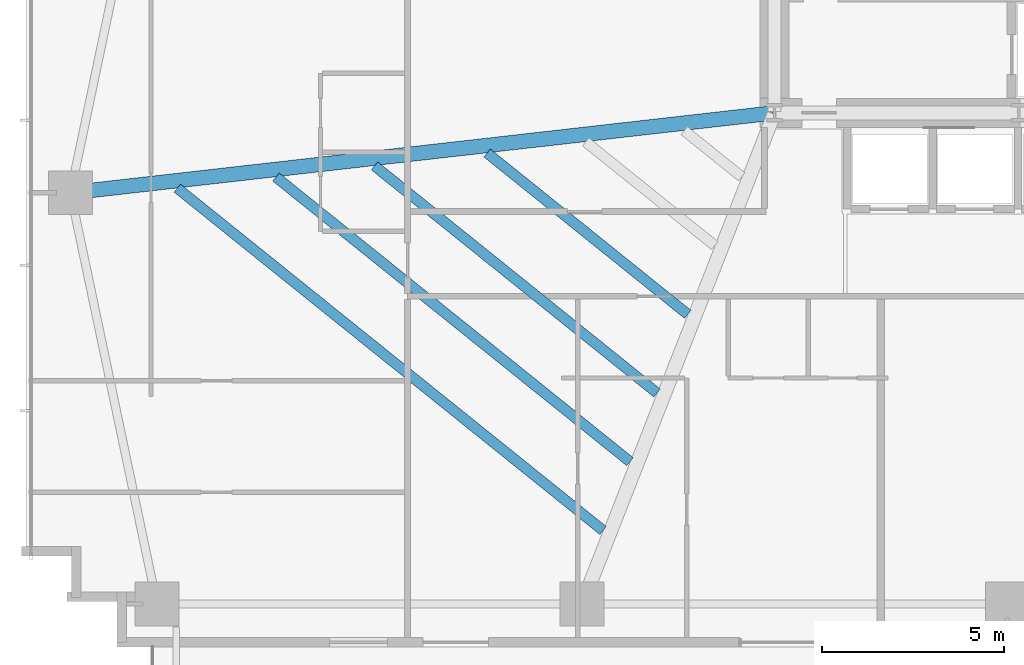
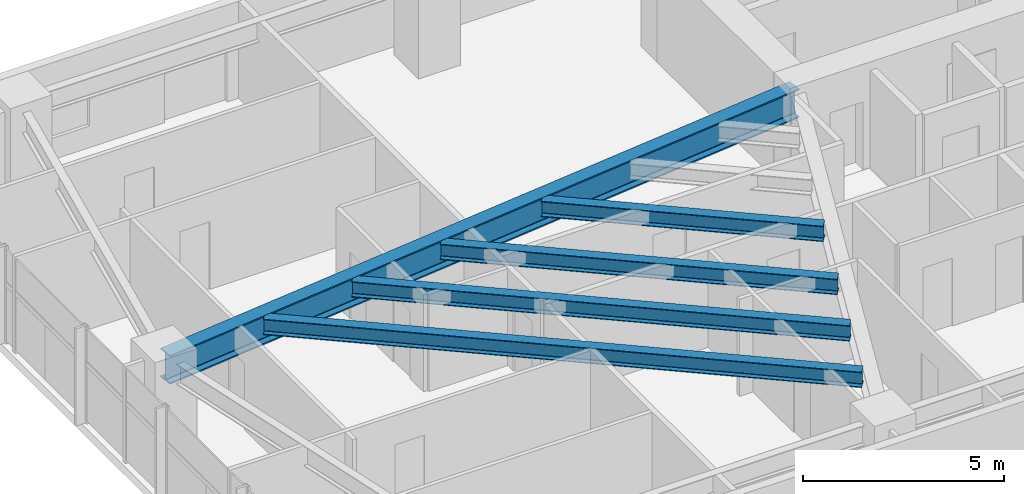
# One storey, part 5 of 25: 5 beams.
"""IFC4 building model written with IfcOpenShell, lengths in metres."""

from ifc_helpers import new_model, si_unit, direction, frame, origin, origin_2d, place, context, subcontext, project, spatial, i_section, extrude, source, transform, mapped, material, material_profile, profile_set, type_object, type_shapes, element, save


model = new_model("IFC4")

# Units and contexts
model_context = context("Model", 3, precision=1e-05, world=origin(), true_north=direction((0.0, 1.0)))
body_context = subcontext(model_context, "Body", "Model", "MODEL_VIEW")
ifc_project = project(units=[si_unit("LENGTHUNIT", "METRE"), si_unit("AREAUNIT", "SQUARE_METRE"), si_unit("VOLUMEUNIT", "CUBIC_METRE"), si_unit("PLANEANGLEUNIT", "RADIAN"), si_unit("MASSUNIT", "GRAM", prefix="KILO")], contexts=[model_context])

# Site, building, storey
site_placement = place(None, origin())
site = spatial("IfcSite", under=ifc_project, at=site_placement, CompositionType="ELEMENT")
building_placement = place(site_placement, origin())
building = spatial("IfcBuilding", under=site, at=building_placement, Name="Astriad Promenade Condominiums", CompositionType="ELEMENT")
storey_placement = place(building_placement, frame((0.0, 0.0, 51.800048828125)))
storey = spatial("IfcBuildingStorey", under=building, at=storey_placement, Name="L14", CompositionType="ELEMENT", Elevation=51.800048828125)

# Beams
ifc_material = material(Name="Steel ASTM A992 Grade 50", Category="steel")
ifc_material_profile_1 = material_profile(ifc_material, i_section(OverallWidth=0.4013671875, OverallDepth=0.877197265625, WebThickness=0.022216796875, FlangeThickness=0.039794921875, FilletRadius=0.02294921875, at=origin_2d()), Name="W33X263")
ifc_profile_set_1 = profile_set([ifc_material_profile_1], Name="Steel ASTM A992 Grade 50")
beam_type_1 = type_object("IfcBeamType", Name="STEEL PRIMARY GIRDER W33X263", PredefinedType="BEAM", material=ifc_profile_set_1)
shared_shape_1 = source(origin(), body_context, "Body", "SweptSolid", [
    extrude(i_section(OverallWidth=0.4013671875, OverallDepth=0.877197265625, WebThickness=0.022216796875, FlangeThickness=0.039794921875, FilletRadius=0.02294921875, at=origin_2d()), origin(), (0.0, 0.0, 1.0), 19.424560546875),
])
type_shapes(beam_type_1, [shared_shape_1])
beam_1_placement = place(storey_placement, frame((7.059814453125, 15.20458984375, 2.50146484375), z_axis=(0.993618675315, 0.11279152479, 0.0), x_axis=(-0.11279152479, 0.993618675315, 0.0)))
element("IfcBeam", 1, at=beam_1_placement, inside=storey, type_object=beam_type_1, Name="Primary Floor Girder PG-WM-L14", PredefinedType="BEAM", context=body_context, shape_type="MappedRepresentation", body=[
    mapped(shared_shape_1, transform((0.0, 0.0, 0.0), scale=1.0)),
])
ifc_material_profile_2 = material_profile(ifc_material, i_section(OverallWidth=0.283203125, OverallDepth=0.47216796875, WebThickness=0.013671875, FlangeThickness=0.022216796875, FilletRadius=0.01513671875, at=origin_2d()), Name="W18X97")
ifc_profile_set_2 = profile_set([ifc_material_profile_2], Name="Steel ASTM A992 Grade 50")
beam_type_2 = type_object("IfcBeamType", Name="STEEL FLOOR JOIST W18X97", PredefinedType="JOIST", material=ifc_profile_set_2)
shared_shape_2 = source(origin(), body_context, "Body", "SweptSolid", [
    extrude(i_section(OverallWidth=0.283203125, OverallDepth=0.47216796875, WebThickness=0.013671875, FlangeThickness=0.022216796875, FilletRadius=0.01513671875, at=origin_2d()), origin(), (0.0, 0.0, 1.0), 15.033447265625),
])
beam_2_placement = place(storey_placement, frame((9.961181640625, 15.32470703125, 2.703857421875), z_axis=(0.779353434302, -0.626584570862, 0.0), x_axis=(0.626584570862, 0.779353434302, 0.0)))
element("IfcBeam", 2, at=beam_2_placement, inside=storey, type_object=beam_type_2, Name="Secondary Composite Floor Joist JW1-1-L14", PredefinedType="JOIST", context=body_context, shape_type="MappedRepresentation", body=[
    mapped(shared_shape_2, transform((0.0, 0.0, 0.0), scale=1.0)),
])
shared_shape_3 = source(origin(), body_context, "Body", "SweptSolid", [
    extrude(i_section(OverallWidth=0.283203125, OverallDepth=0.47216796875, WebThickness=0.013671875, FlangeThickness=0.022216796875, FilletRadius=0.01513671875, at=origin_2d()), origin(), (0.0, 0.0, 1.0), 12.50439453125),
])
beam_3_placement = place(storey_placement, frame((12.67431640625, 15.6328125, 2.703857421875), z_axis=(0.77935791062, -0.626579003122, 0.0), x_axis=(0.626579003122, 0.77935791062, 0.0)))
element("IfcBeam", 3, at=beam_3_placement, inside=storey, type_object=beam_type_2, Name="Secondary Composite Floor Joist JW1-2-L14", PredefinedType="JOIST", context=body_context, shape_type="MappedRepresentation", body=[
    mapped(shared_shape_3, transform((0.0, 0.0, 0.0), scale=1.0)),
])
shared_shape_4 = source(origin(), body_context, "Body", "SweptSolid", [
    extrude(i_section(OverallWidth=0.283203125, OverallDepth=0.47216796875, WebThickness=0.013671875, FlangeThickness=0.022216796875, FilletRadius=0.01513671875, at=origin_2d()), origin(), (0.0, 0.0, 1.0), 9.97509765625),
])
beam_4_placement = place(storey_placement, frame((15.387451171875, 15.94091796875, 2.703857421875), z_axis=(0.779355047887, -0.626582563859, 0.0), x_axis=(0.626582563859, 0.779355047887, 0.0)))
element("IfcBeam", 4, at=beam_4_placement, inside=storey, type_object=beam_type_2, Name="Secondary Composite Floor Joist JW1-3-L14", PredefinedType="JOIST", context=body_context, shape_type="MappedRepresentation", body=[
    mapped(shared_shape_4, transform((0.0, 0.0, 0.0), scale=1.0)),
])
shared_shape_5 = source(origin(), body_context, "Body", "SweptSolid", [
    extrude(i_section(OverallWidth=0.283203125, OverallDepth=0.47216796875, WebThickness=0.013671875, FlangeThickness=0.022216796875, FilletRadius=0.01513671875, at=origin_2d()), origin(), (0.0, 0.0, 1.0), 7.08447265625),
])
type_shapes(beam_type_2, [shared_shape_2, shared_shape_3, shared_shape_4, shared_shape_5])
beam_5_placement = place(storey_placement, frame((18.48828125, 16.292724609375, 2.703857421875), z_axis=(0.779353562297, -0.62658441166, 0.0), x_axis=(0.62658441166, 0.779353562297, 0.0)))
element("IfcBeam", 5, at=beam_5_placement, inside=storey, type_object=beam_type_2, Name="Secondary Composite Floor Joist JW1-4-L14", PredefinedType="JOIST", context=body_context, shape_type="MappedRepresentation", body=[
    mapped(shared_shape_5, transform((0.0, 0.0, 0.0), scale=1.0)),
])

save(model, "model.ifc")
